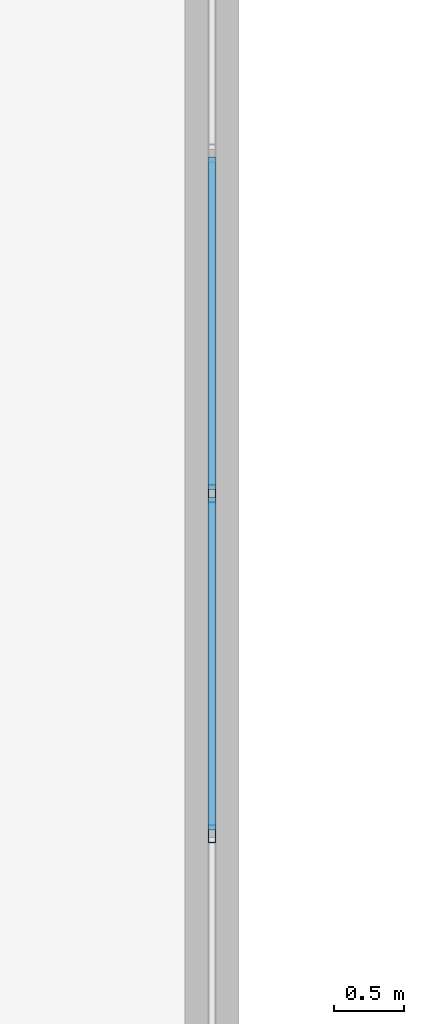
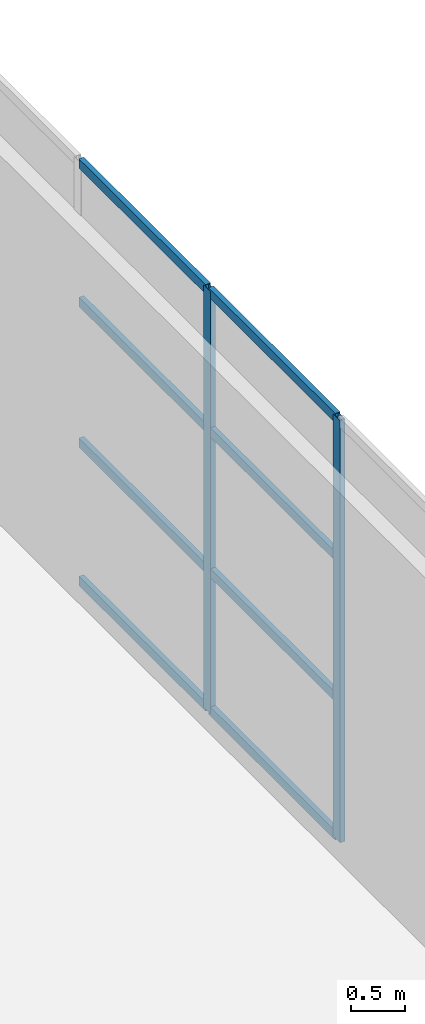
# One storey, part 47 of 147: 10 members, 1 element without a shape of its own.
"""IFC4 building model written with IfcOpenShell, lengths in metres."""

from ifc_helpers import new_model, si_unit, direction, frame, origin, origin_2d, place, context, subcontext, project, spatial, hollow_rectangle, extrude, material, layer, layer_set, material_profile, profile_set, type_object, element, aggregate, save


model = new_model("IFC4")

# Units and contexts
model_context = context("Model", 3, precision=1e-05, world=origin(), true_north=direction((0.0, 1.0)))
body_context = subcontext(model_context, "Body", "Model", "MODEL_VIEW")
ifc_project = project(units=[si_unit("LENGTHUNIT", "METRE"), si_unit("AREAUNIT", "SQUARE_METRE"), si_unit("VOLUMEUNIT", "CUBIC_METRE"), si_unit("PLANEANGLEUNIT", "RADIAN"), si_unit("MASSUNIT", "GRAM", prefix="KILO")], contexts=[model_context])

# Site, building, storey
site_placement = place(None, origin())
site = spatial("IfcSite", under=ifc_project, at=site_placement, CompositionType="ELEMENT")
building_placement = place(site_placement, origin())
building = spatial("IfcBuilding", under=site, at=building_placement, Name="Zilviju Railside Exhibition Hall", CompositionType="ELEMENT")
storey_placement = place(building_placement, frame((0.0, 0.0, 8.39990234375)))
storey = spatial("IfcBuildingStorey", under=building, at=storey_placement, Name="L03", CompositionType="ELEMENT", Elevation=8.39990234375)

# Curtain wall, members
ifc_material_1 = material(Name="Thermally broken aluminium-steel triple-glazed curtain wall", Category="steel")
ifc_layer = layer(ifc_material_1, 0.179931640625)
ifc_layer_set = layer_set([ifc_layer], Name="Thermally broken aluminium-steel triple-glazed curtain wall")
curtain_wall_type = type_object("IfcCurtainWallType", Name="CW-BAY-20", PredefinedType="USERDEFINED", material=ifc_layer_set)
curtain_wall_placement = place(storey_placement, origin())
curtain_wall = element("IfcCurtainWall", 1, at=curtain_wall_placement, inside=storey, type_object=curtain_wall_type, Name="South Hall West Upper Glazed Gable (18..36)", ObjectType="GLAZED CURTAIN WALL", PredefinedType="USERDEFINED")
ifc_material_2 = material(Name="Thermally broken anodized aluminium mullion", Category="aluminium")
ifc_material_profile_1 = material_profile(ifc_material_2, hollow_rectangle(XDim=0.054931640625, YDim=0.1298828125, WallThickness=0.0048828125, at=origin_2d()), Name="MULLION 130x55x5")
ifc_profile_set_1 = profile_set([ifc_material_profile_1], Name="Thermally broken anodized aluminium mullion")
member_type_1 = type_object("IfcMemberType", Name="CWM-55x130", PredefinedType="MULLION", material=ifc_profile_set_1)
member_1_placement = place(storey_placement, frame((78.0, 28.20703125, 0.0), z_axis=(0.0, 0.0, 1.0), x_axis=(-1.0, 0.0, 0.0)))
member_1 = element("IfcMember", 2, at=member_1_placement, type_object=member_type_1, Name="CW-20 mullion 5", PredefinedType="MULLION", context=body_context, shape_type="SweptSolid", body=[
    extrude(hollow_rectangle(XDim=0.054931640625, YDim=0.1298828125, WallThickness=0.0048828125, at=origin_2d()), origin(), (0.0, 0.0, 1.0), 4.800048828125),
])
member_2_placement = place(storey_placement, frame((78.0, 30.621337890625, 0.0), z_axis=(0.0, 0.0, 1.0), x_axis=(-1.0, 0.0, 0.0)))
member_2 = element("IfcMember", 3, at=member_2_placement, type_object=member_type_1, Name="CW-20 mullion 6", PredefinedType="MULLION", context=body_context, shape_type="SweptSolid", body=[
    extrude(hollow_rectangle(XDim=0.054931640625, YDim=0.1298828125, WallThickness=0.0048828125, at=origin_2d()), origin(), (0.0, 0.0, 1.0), 4.800048828125),
])
ifc_material_3 = material(Name="Thermally broken anodized aluminium transom", Category="aluminium")
ifc_material_profile_2 = material_profile(ifc_material_3, hollow_rectangle(XDim=0.054931640625, YDim=0.10498046875, WallThickness=0.0048828125, at=origin_2d()), Name="TRANSOM 105x55x5")
ifc_profile_set_2 = profile_set([ifc_material_profile_2], Name="Thermally broken anodized aluminium transom")
member_type_2 = type_object("IfcMemberType", Name="CWT-55x105", PredefinedType="USERDEFINED", material=ifc_profile_set_2)
member_3_placement = place(storey_placement, frame((78.0, 28.234619140625, 0.027587890625), z_axis=(0.0, 1.0, 0.0), x_axis=(-1.0, 0.0, 0.0)))
member_3 = element("IfcMember", 4, at=member_3_placement, type_object=member_type_2, Name="CW-20 transom 5.1", ObjectType="TRANSOM", PredefinedType="USERDEFINED", context=body_context, shape_type="SweptSolid", body=[
    extrude(hollow_rectangle(XDim=0.054931640625, YDim=0.10498046875, WallThickness=0.0048828125, at=origin_2d()), origin(), (0.0, 0.0, 1.0), 2.359375),
])
member_4_placement = place(storey_placement, frame((78.0, 28.234619140625, 1.60009765625), z_axis=(0.0, 1.0, 0.0), x_axis=(-1.0, 0.0, 0.0)))
member_4 = element("IfcMember", 5, at=member_4_placement, type_object=member_type_2, Name="CW-20 transom 5.2", ObjectType="TRANSOM", PredefinedType="USERDEFINED", context=body_context, shape_type="SweptSolid", body=[
    extrude(hollow_rectangle(XDim=0.054931640625, YDim=0.10498046875, WallThickness=0.0048828125, at=origin_2d()), origin(), (0.0, 0.0, 1.0), 2.359375),
])
member_5_placement = place(storey_placement, frame((78.0, 28.234619140625, 3.2001953125), z_axis=(0.0, 1.0, 0.0), x_axis=(-1.0, 0.0, 0.0)))
member_5 = element("IfcMember", 6, at=member_5_placement, type_object=member_type_2, Name="CW-20 transom 5.3", ObjectType="TRANSOM", PredefinedType="USERDEFINED", context=body_context, shape_type="SweptSolid", body=[
    extrude(hollow_rectangle(XDim=0.054931640625, YDim=0.10498046875, WallThickness=0.0048828125, at=origin_2d()), origin(), (0.0, 0.0, 1.0), 2.359375),
])
member_6_placement = place(storey_placement, frame((78.0, 28.234619140625, 4.772705078125), z_axis=(0.0, 1.0, 0.0), x_axis=(-1.0, 0.0, 0.0)))
member_6 = element("IfcMember", 7, at=member_6_placement, type_object=member_type_2, Name="CW-20 transom 5.4", ObjectType="TRANSOM", PredefinedType="USERDEFINED", context=body_context, shape_type="SweptSolid", body=[
    extrude(hollow_rectangle(XDim=0.054931640625, YDim=0.10498046875, WallThickness=0.0048828125, at=origin_2d()), origin(), (0.0, 0.0, 1.0), 2.359375),
])
member_7_placement = place(storey_placement, frame((78.0, 30.64892578125, 0.027587890625), z_axis=(0.0, 1.0, 0.0), x_axis=(-1.0, 0.0, 0.0)))
member_7 = element("IfcMember", 8, at=member_7_placement, type_object=member_type_2, Name="CW-20 transom 6.1", ObjectType="TRANSOM", PredefinedType="USERDEFINED", context=body_context, shape_type="SweptSolid", body=[
    extrude(hollow_rectangle(XDim=0.054931640625, YDim=0.10498046875, WallThickness=0.0048828125, at=origin_2d()), origin(), (0.0, 0.0, 1.0), 2.359375),
])
member_8_placement = place(storey_placement, frame((78.0, 30.64892578125, 1.60009765625), z_axis=(0.0, 1.0, 0.0), x_axis=(-1.0, 0.0, 0.0)))
member_8 = element("IfcMember", 9, at=member_8_placement, type_object=member_type_2, Name="CW-20 transom 6.2", ObjectType="TRANSOM", PredefinedType="USERDEFINED", context=body_context, shape_type="SweptSolid", body=[
    extrude(hollow_rectangle(XDim=0.054931640625, YDim=0.10498046875, WallThickness=0.0048828125, at=origin_2d()), origin(), (0.0, 0.0, 1.0), 2.359375),
])
member_9_placement = place(storey_placement, frame((78.0, 30.64892578125, 3.2001953125), z_axis=(0.0, 1.0, 0.0), x_axis=(-1.0, 0.0, 0.0)))
member_9 = element("IfcMember", 10, at=member_9_placement, type_object=member_type_2, Name="CW-20 transom 6.3", ObjectType="TRANSOM", PredefinedType="USERDEFINED", context=body_context, shape_type="SweptSolid", body=[
    extrude(hollow_rectangle(XDim=0.054931640625, YDim=0.10498046875, WallThickness=0.0048828125, at=origin_2d()), origin(), (0.0, 0.0, 1.0), 2.359375),
])
member_10_placement = place(storey_placement, frame((78.0, 30.64892578125, 4.772705078125), z_axis=(0.0, 1.0, 0.0), x_axis=(-1.0, 0.0, 0.0)))
member_10 = element("IfcMember", 11, at=member_10_placement, type_object=member_type_2, Name="CW-20 transom 6.4", ObjectType="TRANSOM", PredefinedType="USERDEFINED", context=body_context, shape_type="SweptSolid", body=[
    extrude(hollow_rectangle(XDim=0.054931640625, YDim=0.10498046875, WallThickness=0.0048828125, at=origin_2d()), origin(), (0.0, 0.0, 1.0), 2.359375),
])
aggregate(curtain_wall, [member_1, member_2, member_3, member_4, member_5, member_6, member_7, member_8, member_9, member_10])

save(model, "model.ifc")
